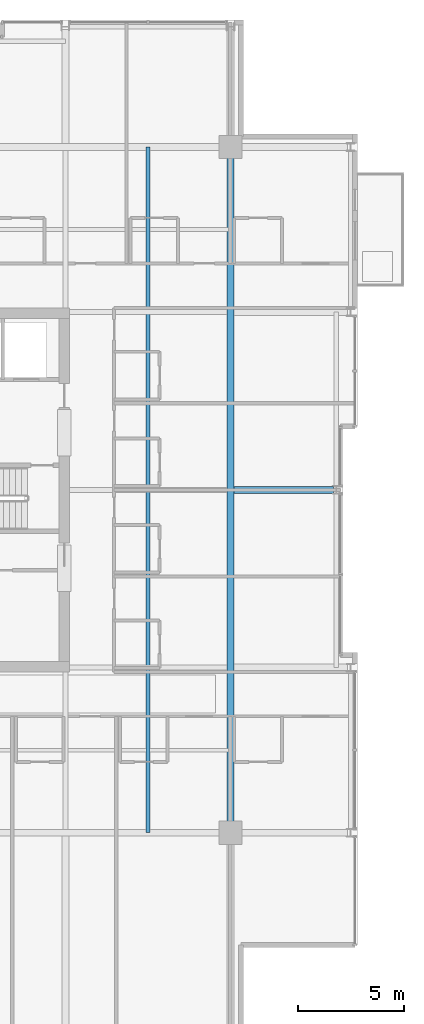
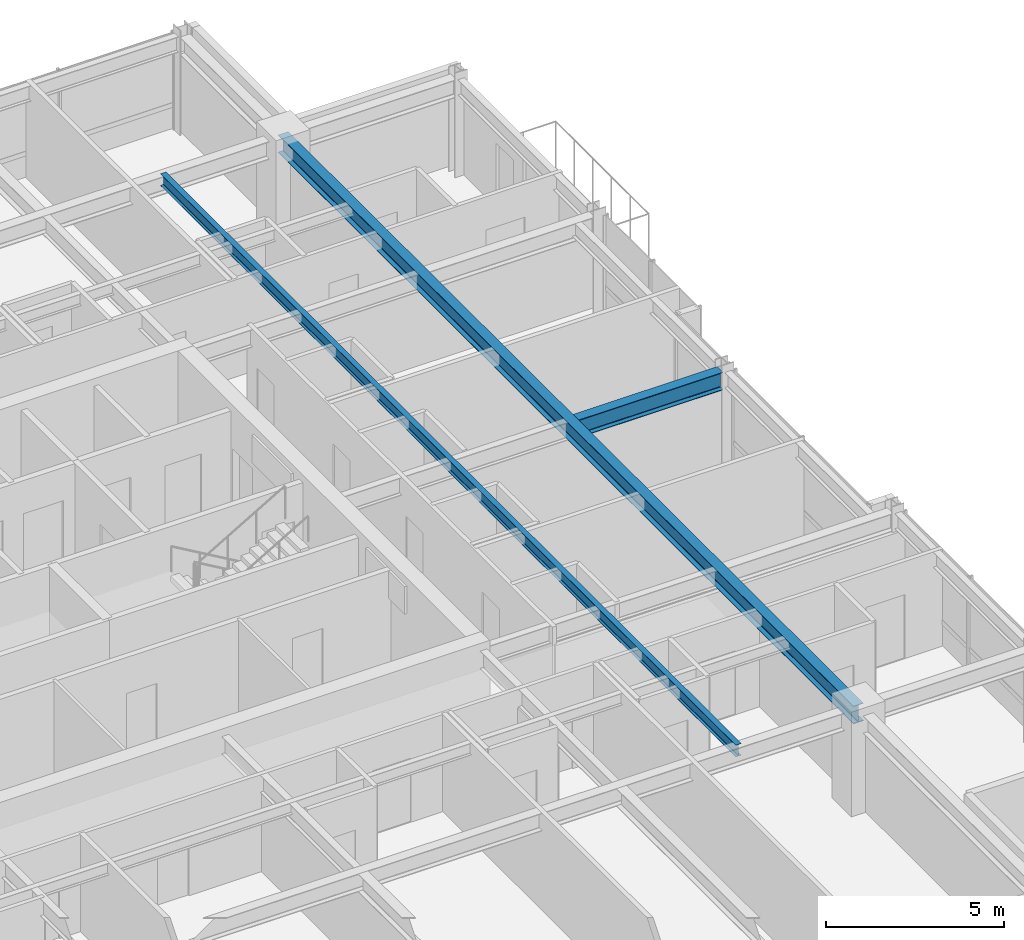
# One storey, part 16 of 34: 3 beams.
"""IFC4 building model written with IfcOpenShell, lengths in metres."""

from ifc_helpers import new_model, si_unit, direction, frame, origin, origin_2d, place, context, subcontext, project, spatial, i_section, extrude, material, material_profile, profile_set, type_object, element, save


model = new_model("IFC4")

# Units and contexts
model_context = context("Model", 3, precision=1e-05, world=origin(), true_north=direction((0.0, 1.0)))
body_context = subcontext(model_context, "Body", "Model", "MODEL_VIEW")
ifc_project = project(units=[si_unit("LENGTHUNIT", "METRE"), si_unit("AREAUNIT", "SQUARE_METRE"), si_unit("VOLUMEUNIT", "CUBIC_METRE"), si_unit("PLANEANGLEUNIT", "RADIAN"), si_unit("MASSUNIT", "GRAM", prefix="KILO")], contexts=[model_context])

# Site, building, storey
site_placement = place(None, origin())
site = spatial("IfcSite", under=ifc_project, at=site_placement, CompositionType="ELEMENT")
building_placement = place(site_placement, origin())
building = spatial("IfcBuilding", under=site, at=building_placement, Name="Drelvath Grand Hotel", CompositionType="ELEMENT")
storey_placement = place(building_placement, frame((0.0, 0.0, 208.699951171875)))
storey = spatial("IfcBuildingStorey", under=building, at=storey_placement, Name="L54", CompositionType="ELEMENT", Elevation=208.699951171875)

# Beams
ifc_material = material(Name="Steel ASTM A992 Gr 50", Category="steel")
ifc_material_profile_1 = material_profile(ifc_material, i_section(OverallWidth=0.177734375, OverallDepth=0.40673828125, WebThickness=0.0078125, FlangeThickness=0.0126953125, FilletRadius=0.014892578125, at=origin_2d()), Name="W16X40")
ifc_profile_set_1 = profile_set([ifc_material_profile_1], Name="Steel ASTM A992 Gr 50")
beam_type_1 = type_object("IfcBeamType", Name="Composite Floor Joist W16X40", PredefinedType="JOIST", material=ifc_profile_set_1)
beam_1_placement = place(storey_placement, frame((12.300048828125, 10.800048828125, 3.13671875), z_axis=(0.0, 1.0, 0.0), x_axis=(-1.0, 0.0, 0.0)))
element("IfcBeam", 1, at=beam_1_placement, inside=storey, type_object=beam_type_1, Name="L54 Wing Floor Joist J4", PredefinedType="JOIST", context=body_context, shape_type="SweptSolid", body=[
    extrude(i_section(OverallWidth=0.177734375, OverallDepth=0.40673828125, WebThickness=0.0078125, FlangeThickness=0.0126953125, FilletRadius=0.014892578125, at=origin_2d()), origin(), (0.0, 0.0, 1.0), 32.39990234375),
])
ifc_material_profile_2 = material_profile(ifc_material, i_section(OverallWidth=0.323974609375, OverallDepth=0.611083984375, WebThickness=0.0126953125, FlangeThickness=0.01904296875, FilletRadius=0.02197265625, at=origin_2d()), Name="W24X104")
ifc_profile_set_2 = profile_set([ifc_material_profile_2], Name="Steel ASTM A992 Gr 50")
beam_type_2 = type_object("IfcBeamType", Name="Primary Floor Girder W24X104", PredefinedType="BEAM", material=ifc_profile_set_2)
beam_2_placement = place(storey_placement, frame((16.199951171875, 10.800048828125, 3.034423828125), z_axis=(0.0, 1.0, 0.0), x_axis=(-1.0, 0.0, 0.0)))
element("IfcBeam", 2, at=beam_2_placement, inside=storey, type_object=beam_type_2, Name="L54 Mega Ring Girder East", PredefinedType="BEAM", context=body_context, shape_type="SweptSolid", body=[
    extrude(i_section(OverallWidth=0.323974609375, OverallDepth=0.611083984375, WebThickness=0.0126953125, FlangeThickness=0.01904296875, FilletRadius=0.02197265625, at=origin_2d()), origin(), (0.0, 0.0, 1.0), 32.39990234375),
])
beam_3_placement = place(storey_placement, frame((16.362060546875, 27.0, 3.034423828125), z_axis=(1.0, 0.0, 0.0), x_axis=(0.0, 1.0, 0.0)))
element("IfcBeam", 3, at=beam_3_placement, inside=storey, type_object=beam_type_2, Name="L54 East Wing Girder E", PredefinedType="BEAM", context=body_context, shape_type="SweptSolid", body=[
    extrude(i_section(OverallWidth=0.323974609375, OverallDepth=0.611083984375, WebThickness=0.0126953125, FlangeThickness=0.01904296875, FilletRadius=0.02197265625, at=origin_2d()), origin(), (0.0, 0.0, 1.0), 4.697998046875),
])

save(model, "model.ifc")
